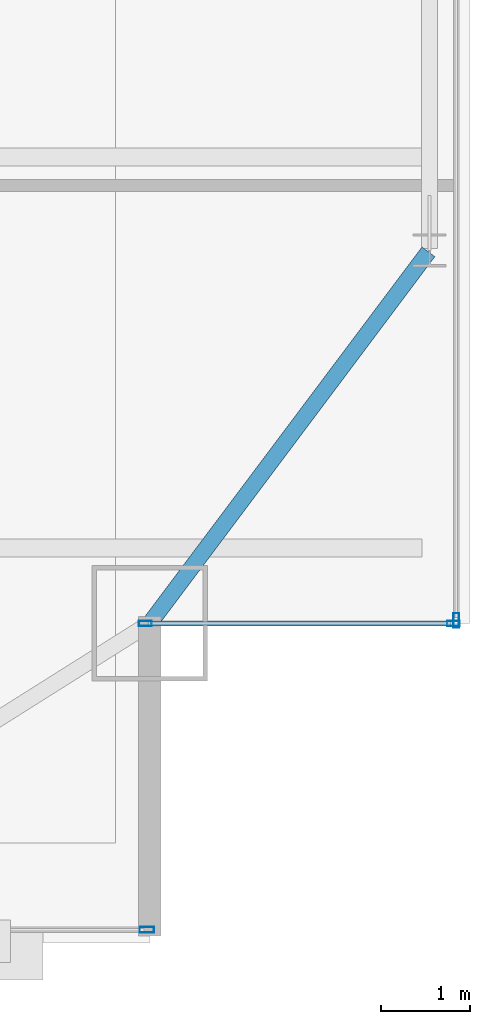
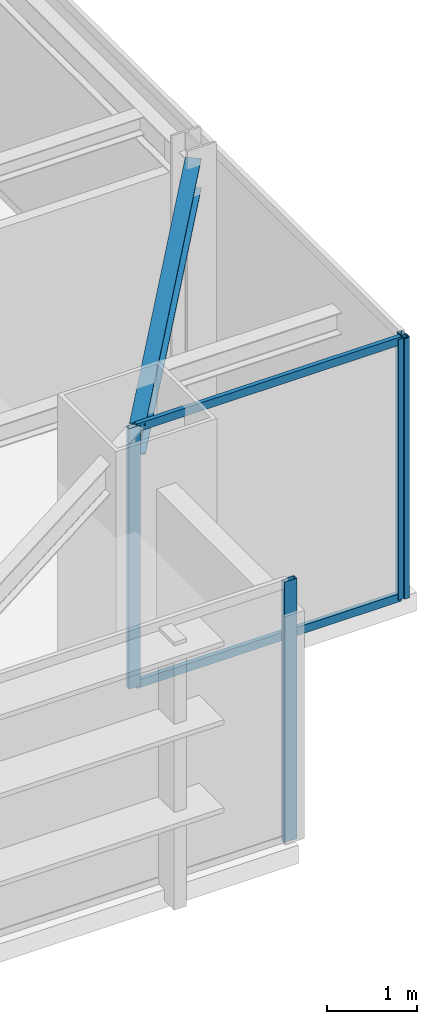
# One storey, part 15 of 29: 6 members, 1 beam, 3 elements without a shape of their own.
"""IFC4 building model written with IfcOpenShell, lengths in metres."""

from ifc_helpers import new_model, si_unit, direction, frame, origin, origin_2d, place, context, subcontext, project, spatial, hollow_rectangle, i_section, extrude, source, transform, mapped, material, layer, layer_set, material_profile, profile_set, type_object, type_shapes, element, aggregate, save


model = new_model("IFC4")

# Units and contexts
model_context = context("Model", 3, precision=1e-05, world=origin(), true_north=direction((0.0, 1.0)))
body_context = subcontext(model_context, "Body", "Model", "MODEL_VIEW")
ifc_project = project(units=[si_unit("LENGTHUNIT", "METRE"), si_unit("AREAUNIT", "SQUARE_METRE"), si_unit("VOLUMEUNIT", "CUBIC_METRE"), si_unit("PLANEANGLEUNIT", "RADIAN"), si_unit("MASSUNIT", "GRAM", prefix="KILO")], contexts=[model_context])

# Site, building, storey
site_placement = place(None, origin())
site = spatial("IfcSite", under=ifc_project, at=site_placement, CompositionType="ELEMENT")
building_placement = place(site_placement, origin())
building = spatial("IfcBuilding", under=site, at=building_placement, Name="Varnel Quay Broadcast Tower", CompositionType="ELEMENT")
storey_placement = place(building_placement, frame((0.0, 0.0, 172.39990234375)))
storey = spatial("IfcBuildingStorey", under=building, at=storey_placement, Name="L42", CompositionType="ELEMENT", Elevation=172.39990234375)

# Beam
ifc_material_1 = material(Name="Structural Steel CSA G40.21 350W", Category="steel")
ifc_material_profile_1 = material_profile(ifc_material_1, i_section(OverallWidth=0.180908203125, OverallDepth=0.4169921875, WebThickness=0.010986328125, FlangeThickness=0.018310546875, FilletRadius=0.011962890625, at=origin_2d()), Name="W410X85")
ifc_profile_set_1 = profile_set([ifc_material_profile_1], Name="Structural Steel CSA G40.21 350W")
beam_type = type_object("IfcBeamType", Name="Beam_W410X85", PredefinedType="SPANDREL", material=ifc_profile_set_1)
shared_shape_1 = source(origin(), body_context, "Body", "SweptSolid", [
    extrude(i_section(OverallWidth=0.180908203125, OverallDepth=0.4169921875, WebThickness=0.010986328125, FlangeThickness=0.018310546875, FilletRadius=0.011962890625, at=origin_2d()), origin(), (0.0, 0.0, 1.0), 5.2099609375),
])
type_shapes(beam_type, [shared_shape_1])
beam_placement = place(storey_placement, frame((57.412109375, 10.81591796875, 3.341552734375), z_axis=(0.6, 0.8, 0.0), x_axis=(-0.8, 0.6, 0.0)))
element("IfcBeam", 1, at=beam_placement, inside=storey, type_object=beam_type, Name="L42 East Spandrel MC-SE-TC-E1", PredefinedType="SPANDREL", context=body_context, shape_type="MappedRepresentation", body=[
    mapped(shared_shape_1, transform((0.0, 0.0, 0.0), x_axis=(1.0, 0.0, 0.0), y_axis=(0.0, 1.0, 0.0), z_axis=(0.0, 0.0, 1.0), scale=1.0)),
])

# Curtain wall, members
ifc_material_2 = material(Name="Anodised Bronze Aluminium 6063-T6", Category="aluminium")
ifc_layer_1 = layer(ifc_material_2, 0.18994140625, Name="Anodised Bronze Aluminium 6063-T6")
ifc_layer_set_1 = layer_set([ifc_layer_1], Name="Anodised Bronze Aluminium 6063-T6")
curtain_wall_type_1 = type_object("IfcCurtainWallType", Name="CW_NotchCorner", PredefinedType="NOTDEFINED", material=ifc_layer_set_1)
curtain_wall_1_placement = place(storey_placement, origin())
curtain_wall_1 = element("IfcCurtainWall", 2, at=curtain_wall_1_placement, inside=storey, type_object=curtain_wall_type_1, Name="L42 SE Notch Curtain Wall", PredefinedType="NOTDEFINED")
ifc_material_profile_2 = material_profile(ifc_material_2, hollow_rectangle(XDim=0.054931640625, YDim=0.110107421875, WallThickness=0.0029296875, at=origin_2d()), Name="ALU55X110X3")
ifc_profile_set_2 = profile_set([ifc_material_profile_2], Name="Anodised Bronze Aluminium 6063-T6")
member_type_1 = type_object("IfcMemberType", Name="Tran_CWS-04", PredefinedType="USERDEFINED", material=ifc_profile_set_2)
shared_shape_2 = source(origin(), body_context, "Body", "SweptSolid", [
    extrude(hollow_rectangle(XDim=0.054931640625, YDim=0.110107421875, WallThickness=0.0029296875, at=origin_2d()), origin(), (0.0, 0.0, 1.0), 3.41015625),
])
type_shapes(member_type_1, [shared_shape_2])
member_1_placement = place(storey_placement, frame((57.3798828125, 10.800048828125, 0.027587890625), z_axis=(1.0, 0.0, 0.0), x_axis=(0.0, 1.0, 0.0)))
member_1 = element("IfcMember", 3, at=member_1_placement, type_object=member_type_1, Name="CWS-04 transom 1.1", ObjectType="TRANSOM", PredefinedType="USERDEFINED", context=body_context, shape_type="MappedRepresentation", body=[
    mapped(shared_shape_2, transform((0.0, 0.0, 0.0), x_axis=(1.0, 0.0, 0.0), y_axis=(0.0, 1.0, 0.0), z_axis=(0.0, 0.0, 1.0), scale=1.0)),
])
member_2_placement = place(storey_placement, frame((57.3798828125, 10.800048828125, 3.522705078125), z_axis=(1.0, 0.0, 0.0), x_axis=(0.0, 1.0, 0.0)))
member_2 = element("IfcMember", 4, at=member_2_placement, type_object=member_type_1, Name="CWS-04 transom 1.2", ObjectType="TRANSOM", PredefinedType="USERDEFINED", context=body_context, shape_type="MappedRepresentation", body=[
    mapped(shared_shape_2, transform((0.0, 0.0, 0.0), x_axis=(1.0, 0.0, 0.0), y_axis=(0.0, 1.0, 0.0), z_axis=(0.0, 0.0, 1.0), scale=1.0)),
])
ifc_material_profile_3 = material_profile(ifc_material_2, hollow_rectangle(XDim=0.06005859375, YDim=0.14501953125, WallThickness=0.00341796875, at=origin_2d()), Name="ALU60X145X3.5")
ifc_profile_set_3 = profile_set([ifc_material_profile_3], Name="Anodised Bronze Aluminium 6063-T6")
member_type_2 = type_object("IfcMemberType", Name="Mull_CWS-04", PredefinedType="MULLION", material=ifc_profile_set_3)
shared_shape_3 = source(origin(), body_context, "Body", "SweptSolid", [
    extrude(hollow_rectangle(XDim=0.06005859375, YDim=0.14501953125, WallThickness=0.00341796875, at=origin_2d()), origin(), (0.0, 0.0, 1.0), 3.550048828125),
])
type_shapes(member_type_2, [shared_shape_3])
member_3_placement = place(storey_placement, frame((57.35009765625, 10.800048828125, 0.0), z_axis=(0.0, 0.0, 1.0), x_axis=(0.0, 1.0, 0.0)))
member_3 = element("IfcMember", 5, at=member_3_placement, type_object=member_type_2, Name="CWS-04 mullion 1", PredefinedType="MULLION", context=body_context, shape_type="MappedRepresentation", body=[
    mapped(shared_shape_3, transform((0.0, 0.0, 0.0), x_axis=(1.0, 0.0, 0.0), y_axis=(0.0, 1.0, 0.0), z_axis=(0.0, 0.0, 1.0), scale=1.0)),
])
member_4_placement = place(storey_placement, frame((60.820068359375, 10.800048828125, 0.0), z_axis=(0.0, 0.0, 1.0), x_axis=(0.0, 1.0, 0.0)))
member_4 = element("IfcMember", 6, at=member_4_placement, type_object=member_type_2, Name="CWS-04 mullion 2", PredefinedType="MULLION", context=body_context, shape_type="MappedRepresentation", body=[
    mapped(shared_shape_3, transform((0.0, 0.0, 0.0), x_axis=(1.0, 0.0, 0.0), y_axis=(0.0, 1.0, 0.0), z_axis=(0.0, 0.0, 1.0), scale=1.0)),
])
aggregate(curtain_wall_1, [member_3, member_4, member_1, member_2])

# Curtain wall, member
ifc_layer_2 = layer(ifc_material_2, 0.18994140625, Name="Anodised Bronze Aluminium 6063-T6")
ifc_layer_set_2 = layer_set([ifc_layer_2], Name="Anodised Bronze Aluminium 6063-T6")
curtain_wall_type_2 = type_object("IfcCurtainWallType", Name="CW_UpperTower", PredefinedType="NOTDEFINED", material=ifc_layer_set_2)
curtain_wall_2_placement = place(storey_placement, origin())
curtain_wall_2 = element("IfcCurtainWall", 7, at=curtain_wall_2_placement, inside=storey, type_object=curtain_wall_type_2, Name="L42 South Unitised Curtain Wall 1", PredefinedType="NOTDEFINED")
ifc_material_profile_4 = material_profile(ifc_material_2, hollow_rectangle(XDim=0.06494140625, YDim=0.1650390625, WallThickness=0.00341796875, at=origin_2d()), Name="ALU65X165X3.5")
ifc_profile_set_4 = profile_set([ifc_material_profile_4], Name="Anodised Bronze Aluminium 6063-T6")
member_type_3 = type_object("IfcMemberType", Name="Mull_CWS-03", PredefinedType="MULLION", material=ifc_profile_set_4)
shared_shape_4 = source(origin(), body_context, "Body", "SweptSolid", [
    extrude(hollow_rectangle(XDim=0.06494140625, YDim=0.1650390625, WallThickness=0.00341796875, at=origin_2d()), origin(), (0.0, 0.0, 1.0), 3.550048828125),
])
type_shapes(member_type_3, [shared_shape_4])
member_5_placement = place(storey_placement, frame((57.367431640625, 7.35009765625, 0.0), z_axis=(0.0, 0.0, 1.0), x_axis=(0.0, 1.0, 0.0)))
member_5 = element("IfcMember", 8, at=member_5_placement, type_object=member_type_3, Name="CWS-03 mullion 5", PredefinedType="MULLION", context=body_context, shape_type="MappedRepresentation", body=[
    mapped(shared_shape_4, transform((0.0, 0.0, 0.0), x_axis=(1.0, 0.0, 0.0), y_axis=(0.0, 1.0, 0.0), z_axis=(0.0, 0.0, 1.0), scale=1.0)),
])
aggregate(curtain_wall_2, [member_5])

curtain_wall_3_placement = place(storey_placement, origin())
curtain_wall_3 = element("IfcCurtainWall", 9, at=curtain_wall_3_placement, inside=storey, type_object=curtain_wall_type_2, Name="L42 East Unitised Curtain Wall", PredefinedType="NOTDEFINED")
member_6_placement = place(storey_placement, frame((60.85009765625, 10.83251953125, 0.0), z_axis=(0.0, 0.0, 1.0), x_axis=(-1.0, 0.0, 0.0)))
member_6 = element("IfcMember", 10, at=member_6_placement, type_object=member_type_3, Name="CWS-03 mullion 1", PredefinedType="MULLION", context=body_context, shape_type="MappedRepresentation", body=[
    mapped(shared_shape_4, transform((0.0, 0.0, 0.0), x_axis=(1.0, 0.0, 0.0), y_axis=(0.0, 1.0, 0.0), z_axis=(0.0, 0.0, 1.0), scale=1.0)),
])
aggregate(curtain_wall_3, [member_6])

save(model, "model.ifc")
